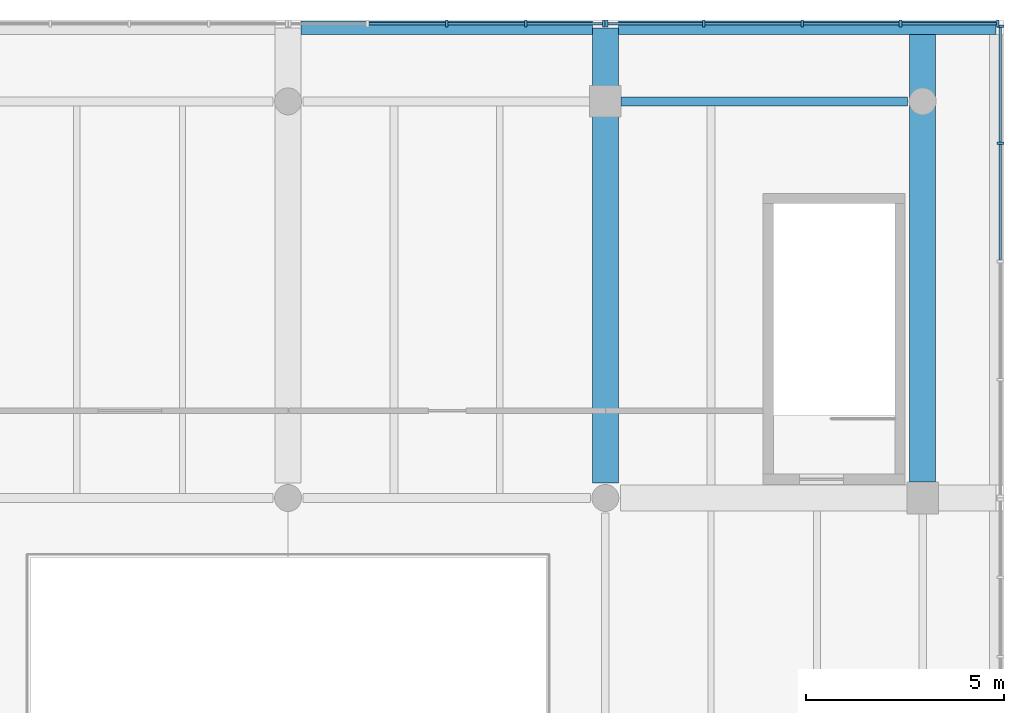
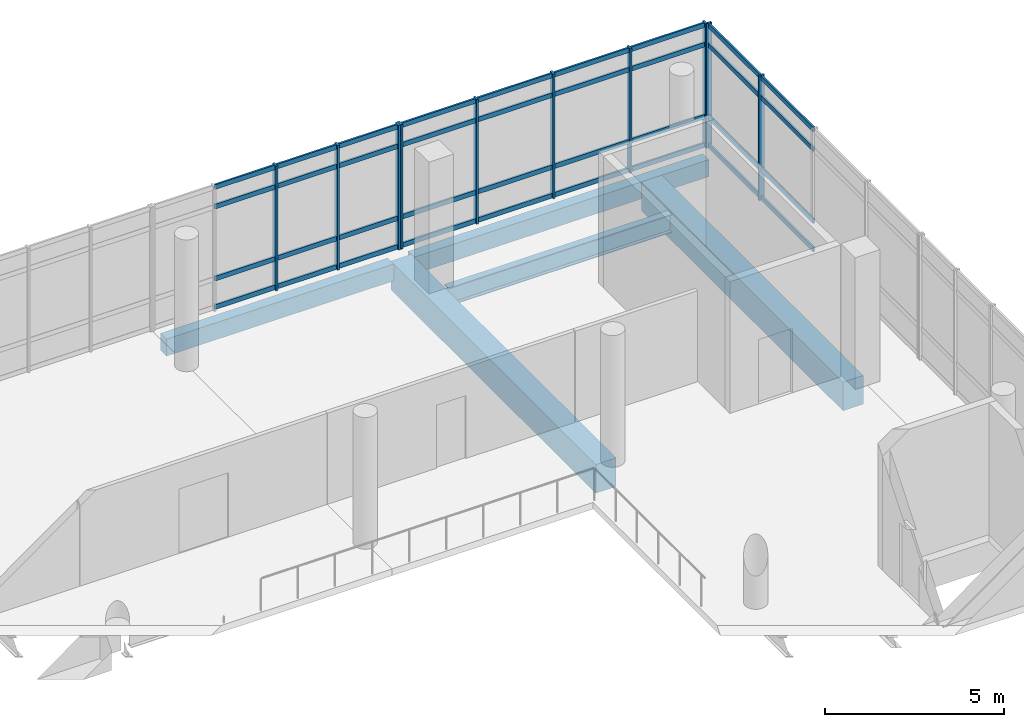
# One storey, part 9 of 15: 46 members, 5 beams, 3 elements without a shape of their own.
"""IFC4 building model written with IfcOpenShell, lengths in metres."""

import ifcopenshell
import ifcopenshell.guid

model = None  # the IFC model being written
_history = None  # IfcOwnerHistory: only IFC2X3 demands one
_inside = {}  # id of a spatial element -> (the spatial element, [elements in it])
_under = {}  # id of a project, library or spatial element -> (it, [spatial elements below it])
_declared = {}  # id of a project -> (the project, [libraries it declares])
_typed = {}  # id of a type object -> (the type object, [elements of that type])
_made_of = {}  # id of a material, layer set ... -> (it, [elements and type objects made of it])


def new_model(schema):
    """Start an empty IFC model of exactly this schema.

    Asked for "IFC4X3", IfcOpenShell would pick the latest addendum, in which some entities
    have other attributes; the version numbers below select the first issue.
    IFC2X3 requires an IfcOwnerHistory on every rooted entity: one is made here for all.
    """
    global model, _history
    if schema == "IFC4X3":
        model = ifcopenshell.file(schema_version=(4, 3, 0, 0))
    else:
        model = ifcopenshell.file(schema=schema)
    _inside.clear()
    _under.clear()
    _declared.clear()
    _typed.clear()
    _made_of.clear()
    _history = None
    if model.schema == "IFC2X3":
        org = make("IfcOrganization", Name="unknown")
        user = make(
            "IfcPersonAndOrganization",
            ThePerson=make("IfcPerson", FamilyName="unknown"),
            TheOrganization=org,
        )
        app = make(
            "IfcApplication",
            ApplicationDeveloper=org,
            Version="unknown",
            ApplicationFullName="unknown",
            ApplicationIdentifier="unknown",
        )
        _history = make(
            "IfcOwnerHistory",
            OwningUser=user,
            OwningApplication=app,
            ChangeAction="ADDED",
            CreationDate=0,
        )
    return model


def make(cls, **values):
    """One entity of the class cls with the attributes given. An attribute that is None is left unset."""
    return model.create_entity(
        cls, **{name: value for name, value in values.items() if value is not None}
    )


def rooted(cls, **values):
    """An entity with a GlobalId (a new one), such as an element, a storey or a relation."""
    return make(cls, GlobalId=ifcopenshell.guid.new(), OwnerHistory=_history, **values)


def si_unit(unit_type, name, prefix=None):
    """IfcSIUnit, for example si_unit("LENGTHUNIT", "METRE", prefix="MILLI")."""
    return make("IfcSIUnit", UnitType=unit_type, Prefix=prefix, Name=name)


def assignment(units):
    """IfcUnitAssignment: the units of a project."""
    return None if units is None else make("IfcUnitAssignment", Units=units)


def point(xyz):
    """IfcCartesianPoint."""
    return None if xyz is None else make("IfcCartesianPoint", Coordinates=xyz)


def direction(xyz):
    """IfcDirection."""
    return None if xyz is None else make("IfcDirection", DirectionRatios=xyz)


def frame(location, z_axis=None, x_axis=None):
    """IfcAxis2Placement3D, a coordinate frame: its origin and axes. An axis left out is left unset."""
    return make(
        "IfcAxis2Placement3D",
        Location=point(location),
        Axis=direction(z_axis),
        RefDirection=direction(x_axis),
    )


def frame_2d(location, x_axis=None):
    """IfcAxis2Placement2D, a coordinate frame in the plane: its origin and x axis."""
    return make(
        "IfcAxis2Placement2D", Location=point(location), RefDirection=direction(x_axis)
    )


def origin():
    """The frame at (0, 0, 0) with its axes left unset."""
    return frame((0.0, 0.0, 0.0))


def origin_2d():
    """The frame at (0, 0) in the plane with its x axis left unset."""
    return frame_2d((0.0, 0.0))


def place(relative_to, where):
    """IfcLocalPlacement: puts the frame where relative to a parent placement (None: the world)."""
    return make(
        "IfcLocalPlacement", PlacementRelTo=relative_to, RelativePlacement=where
    )


def context(
    kind, dimensions, precision=None, world=None, true_north=None, identifier=None
):
    """IfcGeometricRepresentationContext, for example the 3D "Model" context."""
    return make(
        "IfcGeometricRepresentationContext",
        ContextIdentifier=identifier,
        ContextType=kind,
        CoordinateSpaceDimension=dimensions,
        Precision=precision,
        WorldCoordinateSystem=world,
        TrueNorth=true_north,
    )


def subcontext(parent, identifier, kind, view, scale=None):
    """IfcGeometricRepresentationSubContext, for example "Body" below "Model"."""
    return make(
        "IfcGeometricRepresentationSubContext",
        ContextIdentifier=identifier,
        ContextType=kind,
        ParentContext=parent,
        TargetScale=scale,
        TargetView=view,
    )


def project(units=None, contexts=None):
    """IfcProject with its units and contexts."""
    return rooted(
        "IfcProject",
        Name="project",
        RepresentationContexts=contexts,
        UnitsInContext=assignment(units),
    )


def spatial(cls, under=None, at=None, **own):
    """A site, building, storey or space (cls), placed at a placement, below another one or the project."""
    s = rooted(cls, ObjectPlacement=at, **own)
    if under is not None:
        _under.setdefault(under.id(), (under, []))[1].append(s)
    return s


def profile(cls, at=None, kind="AREA", **sizes):
    """A parametric profile (cls). Its sizes go by their IFC names, for example OverallWidth=200.0."""
    return make(cls, ProfileType=kind, Position=at, **sizes)


def rectangle(**sizes):
    """IfcRectangleProfileDef."""
    return profile("IfcRectangleProfileDef", **sizes)


def i_section(**sizes):
    """IfcIShapeProfileDef."""
    return profile("IfcIShapeProfileDef", **sizes)


def extrude(swept, where, along, depth):
    """IfcExtrudedAreaSolid: the profile swept, set in the frame where, extruded along a direction by depth."""
    return make(
        "IfcExtrudedAreaSolid",
        SweptArea=swept,
        Position=where,
        ExtrudedDirection=direction(along),
        Depth=depth,
    )


def shape(context_of_items, identifier, shape_type, items):
    """IfcShapeRepresentation: the items that make up one representation, for example the "Body"."""
    return make(
        "IfcShapeRepresentation",
        ContextOfItems=context_of_items,
        RepresentationIdentifier=identifier,
        RepresentationType=shape_type,
        Items=items,
    )


def material(Name=None, Category=None):
    """IfcMaterial."""
    return make("IfcMaterial", Name=Name, Category=Category)


def material_profile(
    of_material, cross_section, Name=None, Category=None, Priority=None
):
    """IfcMaterialProfile: a cross section and its material."""
    return make(
        "IfcMaterialProfile",
        Name=Name,
        Material=of_material,
        Profile=cross_section,
        Priority=Priority,
        Category=Category,
    )


def profile_set(profiles, Name=None, composite=None):
    """IfcMaterialProfileSet."""
    return make(
        "IfcMaterialProfileSet",
        Name=Name,
        MaterialProfiles=profiles,
        CompositeProfile=composite,
    )


def made_of(thing, what):
    """Note that an element or type object is made of a material, layer set ...; save() writes the relation."""
    if what is not None:
        _made_of.setdefault(what.id(), (what, []))[1].append(thing)
    return thing


def type_object(cls, material=None, **own):
    """A type object (cls), such as IfcWallType, which elements share."""
    return made_of(rooted(cls, **own), material)


def element(
    cls,
    number,
    at=None,
    inside=None,
    cuts=None,
    type_object=None,
    material=None,
    context=None,
    identifier="Body",
    shape_type=None,
    held_by="IfcProductDefinitionShape",
    body=None,
    shapes=None,
    **own,
):
    """One element of the class cls, such as IfcWall. Its Tag is "e" and its number.

    at: its placement. inside: the storey or other place that contains it. cuts: it is an
    opening in that element (IfcRelVoidsElement). A single representation is given by context,
    identifier, shape_type and body (its items); several are given by shapes. held_by: the class
    of the entity that holds the representations. save() writes the other relations.
    """
    e = rooted(cls, Tag="e%d" % number, ObjectPlacement=at, **own)
    if body is not None:
        shapes = [shape(context, identifier, shape_type, body)]
    if shapes is not None:
        e.Representation = make(held_by, Representations=shapes)
    if inside is not None:
        _inside.setdefault(inside.id(), (inside, []))[1].append(e)
    if cuts is not None:
        rooted(
            "IfcRelVoidsElement", RelatingBuildingElement=cuts, RelatedOpeningElement=e
        )
    if type_object is not None:
        _typed.setdefault(type_object.id(), (type_object, []))[1].append(e)
    return made_of(e, material)


def aggregate(whole, parts):
    """IfcRelAggregates: a whole, such as a stair, and the parts it consists of."""
    return rooted("IfcRelAggregates", RelatingObject=whole, RelatedObjects=parts)


def save(model, path):
    """Write the relations noted so far, then the file.

    IfcRelAggregates (storeys below a building ...), IfcRelContainedInSpatialStructure (elements
    in a storey), IfcRelDefinesByType, IfcRelAssociatesMaterial and IfcRelDeclares: one each for
    every whole, place, type object, material and project.
    """
    for whole, parts in _under.values():
        aggregate(whole, parts)
    for where, things in _inside.values():
        rooted(
            "IfcRelContainedInSpatialStructure",
            RelatedElements=things,
            RelatingStructure=where,
        )
    for kind, things in _typed.values():
        rooted("IfcRelDefinesByType", RelatedObjects=things, RelatingType=kind)
    for what, things in _made_of.values():
        rooted("IfcRelAssociatesMaterial", RelatedObjects=things, RelatingMaterial=what)
    for by, libraries in _declared.values():
        rooted("IfcRelDeclares", RelatingContext=by, RelatedDefinitions=libraries)
    model.write(path)


model = new_model("IFC4")

# Units and contexts
model_context = context("Model", 3, precision=1e-05, world=origin(), true_north=direction((0.0, 1.0)))
body_context = subcontext(model_context, "Body", "Model", "MODEL_VIEW")
ifc_project = project(units=[si_unit("LENGTHUNIT", "METRE"), si_unit("AREAUNIT", "SQUARE_METRE"), si_unit("VOLUMEUNIT", "CUBIC_METRE"), si_unit("PLANEANGLEUNIT", "RADIAN"), si_unit("MASSUNIT", "GRAM", prefix="KILO")], contexts=[model_context])

# Site, building, storey
site_placement = place(None, origin())
site = spatial("IfcSite", under=ifc_project, at=site_placement, CompositionType="ELEMENT")
building_placement = place(site_placement, origin())
building = spatial("IfcBuilding", under=site, at=building_placement, Name="Pecanmere Concourse Central Library", CompositionType="ELEMENT")
storey_placement = place(building_placement, frame((0.0, 0.0, 30.300048828125)))
storey = spatial("IfcBuildingStorey", under=building, at=storey_placement, Name="L07", CompositionType="ELEMENT", Elevation=30.300048828125)

# Curtain wall, members
ifc_material_1 = material(Name="Anodized bronze aluminium alloy 6063-T6", Category="aluminium")
curtain_wall_type = type_object("IfcCurtainWallType", Name="CW_PLUMB_BANDED", PredefinedType="USERDEFINED", material=ifc_material_1)
curtain_wall_1_placement = place(storey_placement, origin())
curtain_wall_1 = element("IfcCurtainWall", 1, at=curtain_wall_1_placement, inside=storey, type_object=curtain_wall_type, Name="Unitised Curtain Wall CW-02 L07-085", ObjectType="UNITISED CURTAIN WALL", PredefinedType="USERDEFINED")
ifc_material_2 = material(Name="Anodized bronze aluminium alloy 6063-T6", Category="aluminium")
ifc_material_profile_1 = material_profile(ifc_material_2, rectangle(XDim=0.06494140625, YDim=0.179931640625, at=origin_2d()), Name="AL 65x180")
ifc_profile_set_1 = profile_set([ifc_material_profile_1], Name="Anodized bronze aluminium alloy 6063-T6")
member_type_1 = type_object("IfcMemberType", Name="CWM_180x65", PredefinedType="MULLION", material=ifc_profile_set_1)
member_1_placement = place(storey_placement, frame((105.888916015625, 125.96142578125, 0.0), z_axis=(0.0, 0.0, 1.0), x_axis=(-1.0, 0.0, 0.0)))
member_1 = element("IfcMember", 2, at=member_1_placement, type_object=member_type_1, Name="CW-02 Mullion 1", PredefinedType="MULLION", context=body_context, shape_type="SweptSolid", body=[
    extrude(rectangle(XDim=0.06494140625, YDim=0.179931640625, at=origin_2d()), origin(), (0.0, 0.0, 1.0), 4.260009765625),
])
member_2_placement = place(storey_placement, frame((103.4423828125, 125.96142578125, 0.0), z_axis=(0.0, 0.0, 1.0), x_axis=(-1.0, 0.0, 0.0)))
member_2 = element("IfcMember", 3, at=member_2_placement, type_object=member_type_1, Name="CW-02 Mullion 2", PredefinedType="MULLION", context=body_context, shape_type="SweptSolid", body=[
    extrude(rectangle(XDim=0.06494140625, YDim=0.179931640625, at=origin_2d()), origin(), (0.0, 0.0, 1.0), 4.260009765625),
])
member_3_placement = place(storey_placement, frame((100.963134765625, 125.96142578125, 0.0), z_axis=(0.0, 0.0, 1.0), x_axis=(-1.0, 0.0, 0.0)))
member_3 = element("IfcMember", 4, at=member_3_placement, type_object=member_type_1, Name="CW-02 Mullion 3", PredefinedType="MULLION", context=body_context, shape_type="SweptSolid", body=[
    extrude(rectangle(XDim=0.06494140625, YDim=0.179931640625, at=origin_2d()), origin(), (0.0, 0.0, 1.0), 4.260009765625),
])
member_4_placement = place(storey_placement, frame((98.484130859375, 125.96142578125, 0.0), z_axis=(0.0, 0.0, 1.0), x_axis=(-1.0, 0.0, 0.0)))
member_4 = element("IfcMember", 5, at=member_4_placement, type_object=member_type_1, Name="CW-02 Mullion 4", PredefinedType="MULLION", context=body_context, shape_type="SweptSolid", body=[
    extrude(rectangle(XDim=0.06494140625, YDim=0.179931640625, at=origin_2d()), origin(), (0.0, 0.0, 1.0), 4.260009765625),
])
member_5_placement = place(storey_placement, frame((96.03759765625, 125.96142578125, 0.0), z_axis=(0.0, 0.0, 1.0), x_axis=(-1.0, 0.0, 0.0)))
member_5 = element("IfcMember", 6, at=member_5_placement, type_object=member_type_1, Name="CW-02 Mullion 5", PredefinedType="MULLION", context=body_context, shape_type="SweptSolid", body=[
    extrude(rectangle(XDim=0.06494140625, YDim=0.179931640625, at=origin_2d()), origin(), (0.0, 0.0, 1.0), 4.260009765625),
])

curtain_wall_2_placement = place(storey_placement, origin())
curtain_wall_2 = element("IfcCurtainWall", 7, at=curtain_wall_2_placement, inside=storey, type_object=curtain_wall_type, Name="Unitised Curtain Wall CW-02 L07-086", ObjectType="UNITISED CURTAIN WALL", PredefinedType="USERDEFINED")
member_6_placement = place(storey_placement, frame((95.96240234375, 125.96142578125, 0.0), z_axis=(0.0, 0.0, 1.0), x_axis=(-1.0, 0.0, 0.0)))
member_6 = element("IfcMember", 8, at=member_6_placement, type_object=member_type_1, Name="CW-02 Mullion 1", PredefinedType="MULLION", context=body_context, shape_type="SweptSolid", body=[
    extrude(rectangle(XDim=0.06494140625, YDim=0.179931640625, at=origin_2d()), origin(), (0.0, 0.0, 1.0), 4.260009765625),
])
member_7_placement = place(storey_placement, frame((93.99755859375, 125.96142578125, 0.0), z_axis=(0.0, 0.0, 1.0), x_axis=(-1.0, 0.0, 0.0)))
member_7 = element("IfcMember", 9, at=member_7_placement, type_object=member_type_1, Name="CW-02 Mullion 2", PredefinedType="MULLION", context=body_context, shape_type="SweptSolid", body=[
    extrude(rectangle(XDim=0.06494140625, YDim=0.179931640625, at=origin_2d()), origin(), (0.0, 0.0, 1.0), 4.260009765625),
])
member_8_placement = place(storey_placement, frame((92.0, 125.96142578125, 0.0), z_axis=(0.0, 0.0, 1.0), x_axis=(-1.0, 0.0, 0.0)))
member_8 = element("IfcMember", 10, at=member_8_placement, type_object=member_type_1, Name="CW-02 Mullion 3", PredefinedType="MULLION", context=body_context, shape_type="SweptSolid", body=[
    extrude(rectangle(XDim=0.06494140625, YDim=0.179931640625, at=origin_2d()), origin(), (0.0, 0.0, 1.0), 4.260009765625),
])

curtain_wall_3_placement = place(storey_placement, origin())
curtain_wall_3 = element("IfcCurtainWall", 11, at=curtain_wall_3_placement, inside=storey, type_object=curtain_wall_type, Name="Unitised Curtain Wall CW-02 L07-096", ObjectType="UNITISED CURTAIN WALL", PredefinedType="USERDEFINED")
member_9_placement = place(storey_placement, frame((105.96142578125, 122.9423828125, 0.0), z_axis=(0.0, 0.0, 1.0), x_axis=(0.0, 1.0, 0.0)))
member_9 = element("IfcMember", 12, at=member_9_placement, type_object=member_type_1, Name="CW-02 Mullion 4", PredefinedType="MULLION", context=body_context, shape_type="SweptSolid", body=[
    extrude(rectangle(XDim=0.06494140625, YDim=0.179931640625, at=origin_2d()), origin(), (0.0, 0.0, 1.0), 4.260009765625),
])
member_10_placement = place(storey_placement, frame((105.96142578125, 125.888916015625, 0.0), z_axis=(0.0, 0.0, 1.0), x_axis=(0.0, 1.0, 0.0)))
member_10 = element("IfcMember", 13, at=member_10_placement, type_object=member_type_1, Name="CW-02 Mullion 5", PredefinedType="MULLION", context=body_context, shape_type="SweptSolid", body=[
    extrude(rectangle(XDim=0.06494140625, YDim=0.179931640625, at=origin_2d()), origin(), (0.0, 0.0, 1.0), 4.260009765625),
])

# Member
ifc_material_3 = material(Name="Anodized bronze aluminium alloy 6063-T6", Category="aluminium")
ifc_material_profile_2 = material_profile(ifc_material_3, rectangle(XDim=0.06005859375, YDim=0.159912109375, at=origin_2d()), Name="AL 60x160")
ifc_profile_set_2 = profile_set([ifc_material_profile_2], Name="Anodized bronze aluminium alloy 6063-T6")
member_type_2 = type_object("IfcMemberType", Name="CWT_160x60", PredefinedType="USERDEFINED", material=ifc_profile_set_2)
member_11_placement = place(storey_placement, frame((105.8564453125, 125.96142578125, 0.079833984375), z_axis=(-1.0, 0.0, 0.0), x_axis=(0.0, -1.0, 0.0)))
member_11 = element("IfcMember", 14, at=member_11_placement, type_object=member_type_2, Name="CW-02 Transom 1.1", ObjectType="TRANSOM", PredefinedType="USERDEFINED", context=body_context, shape_type="SweptSolid", body=[
    extrude(rectangle(XDim=0.06005859375, YDim=0.159912109375, at=origin_2d()), origin(), (0.0, 0.0, 1.0), 2.381591796875),
])

member_12_placement = place(storey_placement, frame((105.8564453125, 125.96142578125, 1.050048828125), z_axis=(-1.0, 0.0, 0.0), x_axis=(0.0, -1.0, 0.0)))
member_12 = element("IfcMember", 15, at=member_12_placement, type_object=member_type_2, Name="CW-02 Transom 1.2", ObjectType="TRANSOM", PredefinedType="USERDEFINED", context=body_context, shape_type="SweptSolid", body=[
    extrude(rectangle(XDim=0.06005859375, YDim=0.159912109375, at=origin_2d()), origin(), (0.0, 0.0, 1.0), 2.381591796875),
])

member_13_placement = place(storey_placement, frame((105.8564453125, 125.96142578125, 3.510009765625), z_axis=(-1.0, 0.0, 0.0), x_axis=(0.0, -1.0, 0.0)))
member_13 = element("IfcMember", 16, at=member_13_placement, type_object=member_type_2, Name="CW-02 Transom 1.3", ObjectType="TRANSOM", PredefinedType="USERDEFINED", context=body_context, shape_type="SweptSolid", body=[
    extrude(rectangle(XDim=0.06005859375, YDim=0.159912109375, at=origin_2d()), origin(), (0.0, 0.0, 1.0), 2.381591796875),
])

member_14_placement = place(storey_placement, frame((105.8564453125, 125.96142578125, 4.179931640625), z_axis=(-1.0, 0.0, 0.0), x_axis=(0.0, -1.0, 0.0)))
member_14 = element("IfcMember", 17, at=member_14_placement, type_object=member_type_2, Name="CW-02 Transom 1.4", ObjectType="TRANSOM", PredefinedType="USERDEFINED", context=body_context, shape_type="SweptSolid", body=[
    extrude(rectangle(XDim=0.06005859375, YDim=0.159912109375, at=origin_2d()), origin(), (0.0, 0.0, 1.0), 2.381591796875),
])

member_15_placement = place(storey_placement, frame((103.409912109375, 125.96142578125, 0.079833984375), z_axis=(-1.0, 0.0, 0.0), x_axis=(0.0, -1.0, 0.0)))
member_15 = element("IfcMember", 18, at=member_15_placement, type_object=member_type_2, Name="CW-02 Transom 2.1", ObjectType="TRANSOM", PredefinedType="USERDEFINED", context=body_context, shape_type="SweptSolid", body=[
    extrude(rectangle(XDim=0.06005859375, YDim=0.159912109375, at=origin_2d()), origin(), (0.0, 0.0, 1.0), 2.4140625),
])

member_16_placement = place(storey_placement, frame((103.409912109375, 125.96142578125, 1.050048828125), z_axis=(-1.0, 0.0, 0.0), x_axis=(0.0, -1.0, 0.0)))
member_16 = element("IfcMember", 19, at=member_16_placement, type_object=member_type_2, Name="CW-02 Transom 2.2", ObjectType="TRANSOM", PredefinedType="USERDEFINED", context=body_context, shape_type="SweptSolid", body=[
    extrude(rectangle(XDim=0.06005859375, YDim=0.159912109375, at=origin_2d()), origin(), (0.0, 0.0, 1.0), 2.4140625),
])

member_17_placement = place(storey_placement, frame((103.409912109375, 125.96142578125, 3.510009765625), z_axis=(-1.0, 0.0, 0.0), x_axis=(0.0, -1.0, 0.0)))
member_17 = element("IfcMember", 20, at=member_17_placement, type_object=member_type_2, Name="CW-02 Transom 2.3", ObjectType="TRANSOM", PredefinedType="USERDEFINED", context=body_context, shape_type="SweptSolid", body=[
    extrude(rectangle(XDim=0.06005859375, YDim=0.159912109375, at=origin_2d()), origin(), (0.0, 0.0, 1.0), 2.4140625),
])

member_18_placement = place(storey_placement, frame((103.409912109375, 125.96142578125, 4.179931640625), z_axis=(-1.0, 0.0, 0.0), x_axis=(0.0, -1.0, 0.0)))
member_18 = element("IfcMember", 21, at=member_18_placement, type_object=member_type_2, Name="CW-02 Transom 2.4", ObjectType="TRANSOM", PredefinedType="USERDEFINED", context=body_context, shape_type="SweptSolid", body=[
    extrude(rectangle(XDim=0.06005859375, YDim=0.159912109375, at=origin_2d()), origin(), (0.0, 0.0, 1.0), 2.4140625),
])

member_19_placement = place(storey_placement, frame((100.9306640625, 125.96142578125, 0.079833984375), z_axis=(-1.0, 0.0, 0.0), x_axis=(0.0, -1.0, 0.0)))
member_19 = element("IfcMember", 22, at=member_19_placement, type_object=member_type_2, Name="CW-02 Transom 3.1", ObjectType="TRANSOM", PredefinedType="USERDEFINED", context=body_context, shape_type="SweptSolid", body=[
    extrude(rectangle(XDim=0.06005859375, YDim=0.159912109375, at=origin_2d()), origin(), (0.0, 0.0, 1.0), 2.4140625),
])

member_20_placement = place(storey_placement, frame((100.9306640625, 125.96142578125, 1.050048828125), z_axis=(-1.0, 0.0, 0.0), x_axis=(0.0, -1.0, 0.0)))
member_20 = element("IfcMember", 23, at=member_20_placement, type_object=member_type_2, Name="CW-02 Transom 3.2", ObjectType="TRANSOM", PredefinedType="USERDEFINED", context=body_context, shape_type="SweptSolid", body=[
    extrude(rectangle(XDim=0.06005859375, YDim=0.159912109375, at=origin_2d()), origin(), (0.0, 0.0, 1.0), 2.4140625),
])

member_21_placement = place(storey_placement, frame((100.9306640625, 125.96142578125, 3.510009765625), z_axis=(-1.0, 0.0, 0.0), x_axis=(0.0, -1.0, 0.0)))
member_21 = element("IfcMember", 24, at=member_21_placement, type_object=member_type_2, Name="CW-02 Transom 3.3", ObjectType="TRANSOM", PredefinedType="USERDEFINED", context=body_context, shape_type="SweptSolid", body=[
    extrude(rectangle(XDim=0.06005859375, YDim=0.159912109375, at=origin_2d()), origin(), (0.0, 0.0, 1.0), 2.4140625),
])

member_22_placement = place(storey_placement, frame((100.9306640625, 125.96142578125, 4.179931640625), z_axis=(-1.0, 0.0, 0.0), x_axis=(0.0, -1.0, 0.0)))
member_22 = element("IfcMember", 25, at=member_22_placement, type_object=member_type_2, Name="CW-02 Transom 3.4", ObjectType="TRANSOM", PredefinedType="USERDEFINED", context=body_context, shape_type="SweptSolid", body=[
    extrude(rectangle(XDim=0.06005859375, YDim=0.159912109375, at=origin_2d()), origin(), (0.0, 0.0, 1.0), 2.4140625),
])

member_23_placement = place(storey_placement, frame((98.45166015625, 125.96142578125, 0.079833984375), z_axis=(-1.0, 0.0, 0.0), x_axis=(0.0, -1.0, 0.0)))
member_23 = element("IfcMember", 26, at=member_23_placement, type_object=member_type_2, Name="CW-02 Transom 4.1", ObjectType="TRANSOM", PredefinedType="USERDEFINED", context=body_context, shape_type="SweptSolid", body=[
    extrude(rectangle(XDim=0.06005859375, YDim=0.159912109375, at=origin_2d()), origin(), (0.0, 0.0, 1.0), 2.381591796875),
])

member_24_placement = place(storey_placement, frame((98.45166015625, 125.96142578125, 1.050048828125), z_axis=(-1.0, 0.0, 0.0), x_axis=(0.0, -1.0, 0.0)))
member_24 = element("IfcMember", 27, at=member_24_placement, type_object=member_type_2, Name="CW-02 Transom 4.2", ObjectType="TRANSOM", PredefinedType="USERDEFINED", context=body_context, shape_type="SweptSolid", body=[
    extrude(rectangle(XDim=0.06005859375, YDim=0.159912109375, at=origin_2d()), origin(), (0.0, 0.0, 1.0), 2.381591796875),
])

member_25_placement = place(storey_placement, frame((98.45166015625, 125.96142578125, 3.510009765625), z_axis=(-1.0, 0.0, 0.0), x_axis=(0.0, -1.0, 0.0)))
member_25 = element("IfcMember", 28, at=member_25_placement, type_object=member_type_2, Name="CW-02 Transom 4.3", ObjectType="TRANSOM", PredefinedType="USERDEFINED", context=body_context, shape_type="SweptSolid", body=[
    extrude(rectangle(XDim=0.06005859375, YDim=0.159912109375, at=origin_2d()), origin(), (0.0, 0.0, 1.0), 2.381591796875),
])

member_26_placement = place(storey_placement, frame((98.45166015625, 125.96142578125, 4.179931640625), z_axis=(-1.0, 0.0, 0.0), x_axis=(0.0, -1.0, 0.0)))
member_26 = element("IfcMember", 29, at=member_26_placement, type_object=member_type_2, Name="CW-02 Transom 4.4", ObjectType="TRANSOM", PredefinedType="USERDEFINED", context=body_context, shape_type="SweptSolid", body=[
    extrude(rectangle(XDim=0.06005859375, YDim=0.159912109375, at=origin_2d()), origin(), (0.0, 0.0, 1.0), 2.381591796875),
])

aggregate(curtain_wall_1, [member_1, member_2, member_3, member_4, member_5, member_11, member_12, member_13, member_14, member_15, member_16, member_17, member_18, member_19, member_20, member_21, member_22, member_23, member_24, member_25, member_26])

member_27_placement = place(storey_placement, frame((95.929931640625, 125.96142578125, 0.079833984375), z_axis=(-1.0, 0.0, 0.0), x_axis=(0.0, -1.0, 0.0)))
member_27 = element("IfcMember", 30, at=member_27_placement, type_object=member_type_2, Name="CW-02 Transom 1.1", ObjectType="TRANSOM", PredefinedType="USERDEFINED", context=body_context, shape_type="SweptSolid", body=[
    extrude(rectangle(XDim=0.06005859375, YDim=0.159912109375, at=origin_2d()), origin(), (0.0, 0.0, 1.0), 1.89990234375),
])

member_28_placement = place(storey_placement, frame((95.929931640625, 125.96142578125, 1.050048828125), z_axis=(-1.0, 0.0, 0.0), x_axis=(0.0, -1.0, 0.0)))
member_28 = element("IfcMember", 31, at=member_28_placement, type_object=member_type_2, Name="CW-02 Transom 1.2", ObjectType="TRANSOM", PredefinedType="USERDEFINED", context=body_context, shape_type="SweptSolid", body=[
    extrude(rectangle(XDim=0.06005859375, YDim=0.159912109375, at=origin_2d()), origin(), (0.0, 0.0, 1.0), 1.89990234375),
])

member_29_placement = place(storey_placement, frame((95.929931640625, 125.96142578125, 3.510009765625), z_axis=(-1.0, 0.0, 0.0), x_axis=(0.0, -1.0, 0.0)))
member_29 = element("IfcMember", 32, at=member_29_placement, type_object=member_type_2, Name="CW-02 Transom 1.3", ObjectType="TRANSOM", PredefinedType="USERDEFINED", context=body_context, shape_type="SweptSolid", body=[
    extrude(rectangle(XDim=0.06005859375, YDim=0.159912109375, at=origin_2d()), origin(), (0.0, 0.0, 1.0), 1.89990234375),
])

member_30_placement = place(storey_placement, frame((95.929931640625, 125.96142578125, 4.179931640625), z_axis=(-1.0, 0.0, 0.0), x_axis=(0.0, -1.0, 0.0)))
member_30 = element("IfcMember", 33, at=member_30_placement, type_object=member_type_2, Name="CW-02 Transom 1.4", ObjectType="TRANSOM", PredefinedType="USERDEFINED", context=body_context, shape_type="SweptSolid", body=[
    extrude(rectangle(XDim=0.06005859375, YDim=0.159912109375, at=origin_2d()), origin(), (0.0, 0.0, 1.0), 1.89990234375),
])

member_31_placement = place(storey_placement, frame((93.965087890625, 125.96142578125, 0.079833984375), z_axis=(-1.0, 0.0, 0.0), x_axis=(0.0, -1.0, 0.0)))
member_31 = element("IfcMember", 34, at=member_31_placement, type_object=member_type_2, Name="CW-02 Transom 2.1", ObjectType="TRANSOM", PredefinedType="USERDEFINED", context=body_context, shape_type="SweptSolid", body=[
    extrude(rectangle(XDim=0.06005859375, YDim=0.159912109375, at=origin_2d()), origin(), (0.0, 0.0, 1.0), 1.9326171875),
])

member_32_placement = place(storey_placement, frame((93.965087890625, 125.96142578125, 1.050048828125), z_axis=(-1.0, 0.0, 0.0), x_axis=(0.0, -1.0, 0.0)))
member_32 = element("IfcMember", 35, at=member_32_placement, type_object=member_type_2, Name="CW-02 Transom 2.2", ObjectType="TRANSOM", PredefinedType="USERDEFINED", context=body_context, shape_type="SweptSolid", body=[
    extrude(rectangle(XDim=0.06005859375, YDim=0.159912109375, at=origin_2d()), origin(), (0.0, 0.0, 1.0), 1.9326171875),
])

member_33_placement = place(storey_placement, frame((93.965087890625, 125.96142578125, 3.510009765625), z_axis=(-1.0, 0.0, 0.0), x_axis=(0.0, -1.0, 0.0)))
member_33 = element("IfcMember", 36, at=member_33_placement, type_object=member_type_2, Name="CW-02 Transom 2.3", ObjectType="TRANSOM", PredefinedType="USERDEFINED", context=body_context, shape_type="SweptSolid", body=[
    extrude(rectangle(XDim=0.06005859375, YDim=0.159912109375, at=origin_2d()), origin(), (0.0, 0.0, 1.0), 1.9326171875),
])

member_34_placement = place(storey_placement, frame((93.965087890625, 125.96142578125, 4.179931640625), z_axis=(-1.0, 0.0, 0.0), x_axis=(0.0, -1.0, 0.0)))
member_34 = element("IfcMember", 37, at=member_34_placement, type_object=member_type_2, Name="CW-02 Transom 2.4", ObjectType="TRANSOM", PredefinedType="USERDEFINED", context=body_context, shape_type="SweptSolid", body=[
    extrude(rectangle(XDim=0.06005859375, YDim=0.159912109375, at=origin_2d()), origin(), (0.0, 0.0, 1.0), 1.9326171875),
])

member_35_placement = place(storey_placement, frame((91.967529296875, 125.96142578125, 0.079833984375), z_axis=(-1.0, 0.0, 0.0), x_axis=(0.0, -1.0, 0.0)))
member_35 = element("IfcMember", 38, at=member_35_placement, type_object=member_type_2, Name="CW-02 Transom 3.1", ObjectType="TRANSOM", PredefinedType="USERDEFINED", context=body_context, shape_type="SweptSolid", body=[
    extrude(rectangle(XDim=0.06005859375, YDim=0.159912109375, at=origin_2d()), origin(), (0.0, 0.0, 1.0), 1.9326171875),
])

member_36_placement = place(storey_placement, frame((91.967529296875, 125.96142578125, 1.050048828125), z_axis=(-1.0, 0.0, 0.0), x_axis=(0.0, -1.0, 0.0)))
member_36 = element("IfcMember", 39, at=member_36_placement, type_object=member_type_2, Name="CW-02 Transom 3.2", ObjectType="TRANSOM", PredefinedType="USERDEFINED", context=body_context, shape_type="SweptSolid", body=[
    extrude(rectangle(XDim=0.06005859375, YDim=0.159912109375, at=origin_2d()), origin(), (0.0, 0.0, 1.0), 1.9326171875),
])

member_37_placement = place(storey_placement, frame((91.967529296875, 125.96142578125, 3.510009765625), z_axis=(-1.0, 0.0, 0.0), x_axis=(0.0, -1.0, 0.0)))
member_37 = element("IfcMember", 40, at=member_37_placement, type_object=member_type_2, Name="CW-02 Transom 3.3", ObjectType="TRANSOM", PredefinedType="USERDEFINED", context=body_context, shape_type="SweptSolid", body=[
    extrude(rectangle(XDim=0.06005859375, YDim=0.159912109375, at=origin_2d()), origin(), (0.0, 0.0, 1.0), 1.9326171875),
])

member_38_placement = place(storey_placement, frame((91.967529296875, 125.96142578125, 4.179931640625), z_axis=(-1.0, 0.0, 0.0), x_axis=(0.0, -1.0, 0.0)))
member_38 = element("IfcMember", 41, at=member_38_placement, type_object=member_type_2, Name="CW-02 Transom 3.4", ObjectType="TRANSOM", PredefinedType="USERDEFINED", context=body_context, shape_type="SweptSolid", body=[
    extrude(rectangle(XDim=0.06005859375, YDim=0.159912109375, at=origin_2d()), origin(), (0.0, 0.0, 1.0), 1.9326171875),
])

aggregate(curtain_wall_2, [member_6, member_7, member_8, member_27, member_28, member_29, member_30, member_31, member_32, member_33, member_34, member_35, member_36, member_37, member_38])

member_39_placement = place(storey_placement, frame((105.96142578125, 119.995849609375, 0.079833984375), z_axis=(0.0, 1.0, 0.0), x_axis=(-1.0, 0.0, 0.0)))
member_39 = element("IfcMember", 42, at=member_39_placement, type_object=member_type_2, Name="CW-02 Transom 3.1", ObjectType="TRANSOM", PredefinedType="USERDEFINED", context=body_context, shape_type="SweptSolid", body=[
    extrude(rectangle(XDim=0.06005859375, YDim=0.159912109375, at=origin_2d()), origin(), (0.0, 0.0, 1.0), 2.9140625),
])

member_40_placement = place(storey_placement, frame((105.96142578125, 119.995849609375, 1.050048828125), z_axis=(0.0, 1.0, 0.0), x_axis=(-1.0, 0.0, 0.0)))
member_40 = element("IfcMember", 43, at=member_40_placement, type_object=member_type_2, Name="CW-02 Transom 3.2", ObjectType="TRANSOM", PredefinedType="USERDEFINED", context=body_context, shape_type="SweptSolid", body=[
    extrude(rectangle(XDim=0.06005859375, YDim=0.159912109375, at=origin_2d()), origin(), (0.0, 0.0, 1.0), 2.9140625),
])

member_41_placement = place(storey_placement, frame((105.96142578125, 119.995849609375, 3.510009765625), z_axis=(0.0, 1.0, 0.0), x_axis=(-1.0, 0.0, 0.0)))
member_41 = element("IfcMember", 44, at=member_41_placement, type_object=member_type_2, Name="CW-02 Transom 3.3", ObjectType="TRANSOM", PredefinedType="USERDEFINED", context=body_context, shape_type="SweptSolid", body=[
    extrude(rectangle(XDim=0.06005859375, YDim=0.159912109375, at=origin_2d()), origin(), (0.0, 0.0, 1.0), 2.9140625),
])

member_42_placement = place(storey_placement, frame((105.96142578125, 119.995849609375, 4.179931640625), z_axis=(0.0, 1.0, 0.0), x_axis=(-1.0, 0.0, 0.0)))
member_42 = element("IfcMember", 45, at=member_42_placement, type_object=member_type_2, Name="CW-02 Transom 3.4", ObjectType="TRANSOM", PredefinedType="USERDEFINED", context=body_context, shape_type="SweptSolid", body=[
    extrude(rectangle(XDim=0.06005859375, YDim=0.159912109375, at=origin_2d()), origin(), (0.0, 0.0, 1.0), 2.9140625),
])

member_43_placement = place(storey_placement, frame((105.96142578125, 122.974853515625, 0.079833984375), z_axis=(0.0, 1.0, 0.0), x_axis=(-1.0, 0.0, 0.0)))
member_43 = element("IfcMember", 46, at=member_43_placement, type_object=member_type_2, Name="CW-02 Transom 4.1", ObjectType="TRANSOM", PredefinedType="USERDEFINED", context=body_context, shape_type="SweptSolid", body=[
    extrude(rectangle(XDim=0.06005859375, YDim=0.159912109375, at=origin_2d()), origin(), (0.0, 0.0, 1.0), 2.881591796875),
])

member_44_placement = place(storey_placement, frame((105.96142578125, 122.974853515625, 1.050048828125), z_axis=(0.0, 1.0, 0.0), x_axis=(-1.0, 0.0, 0.0)))
member_44 = element("IfcMember", 47, at=member_44_placement, type_object=member_type_2, Name="CW-02 Transom 4.2", ObjectType="TRANSOM", PredefinedType="USERDEFINED", context=body_context, shape_type="SweptSolid", body=[
    extrude(rectangle(XDim=0.06005859375, YDim=0.159912109375, at=origin_2d()), origin(), (0.0, 0.0, 1.0), 2.881591796875),
])

member_45_placement = place(storey_placement, frame((105.96142578125, 122.974853515625, 3.510009765625), z_axis=(0.0, 1.0, 0.0), x_axis=(-1.0, 0.0, 0.0)))
member_45 = element("IfcMember", 48, at=member_45_placement, type_object=member_type_2, Name="CW-02 Transom 4.3", ObjectType="TRANSOM", PredefinedType="USERDEFINED", context=body_context, shape_type="SweptSolid", body=[
    extrude(rectangle(XDim=0.06005859375, YDim=0.159912109375, at=origin_2d()), origin(), (0.0, 0.0, 1.0), 2.881591796875),
])

member_46_placement = place(storey_placement, frame((105.96142578125, 122.974853515625, 4.179931640625), z_axis=(0.0, 1.0, 0.0), x_axis=(-1.0, 0.0, 0.0)))
member_46 = element("IfcMember", 49, at=member_46_placement, type_object=member_type_2, Name="CW-02 Transom 4.4", ObjectType="TRANSOM", PredefinedType="USERDEFINED", context=body_context, shape_type="SweptSolid", body=[
    extrude(rectangle(XDim=0.06005859375, YDim=0.159912109375, at=origin_2d()), origin(), (0.0, 0.0, 1.0), 2.881591796875),
])

aggregate(curtain_wall_3, [member_9, member_10, member_39, member_40, member_41, member_42, member_43, member_44, member_45, member_46])

# Beams
ifc_material_4 = material(Name="Concrete C40/50", Category="concrete")
ifc_material_profile_3 = material_profile(ifc_material_4, rectangle(XDim=0.659912109375, YDim=0.97998046875, at=origin_2d()), Name="RC 660x980")
ifc_profile_set_3 = profile_set([ifc_material_profile_3], Name="Concrete C40/50")
beam_type_1 = type_object("IfcBeamType", Name="GRD_660x980", PredefinedType="USERDEFINED", material=ifc_profile_set_3)
beam_1_placement = place(storey_placement, frame((96.0, 114.3798828125, -0.75), z_axis=(0.0, 1.0, 0.0), x_axis=(-1.0, 0.0, 0.0)))
element("IfcBeam", 50, at=beam_1_placement, inside=storey, type_object=beam_type_1, Name="Primary Girder Y L07-2817", ObjectType="GIRDER", PredefinedType="USERDEFINED", context=body_context, shape_type="SweptSolid", body=[
    extrude(rectangle(XDim=0.659912109375, YDim=0.97998046875, at=origin_2d()), origin(), (0.0, 0.0, 1.0), 11.4716796875),
])
beam_2_placement = place(storey_placement, frame((104.0, 114.39990234375, -0.75), z_axis=(0.0, 1.0, 0.0), x_axis=(-1.0, 0.0, 0.0)))
element("IfcBeam", 51, at=beam_2_placement, inside=storey, type_object=beam_type_1, Name="Primary Girder Y L07-2821", ObjectType="GIRDER", PredefinedType="USERDEFINED", context=body_context, shape_type="SweptSolid", body=[
    extrude(rectangle(XDim=0.659912109375, YDim=0.97998046875, at=origin_2d()), origin(), (0.0, 0.0, 1.0), 11.281494140625),
])
ifc_material_5 = material(Name="Structural steel ASTM A992 Grade 50", Category="steel")
ifc_material_profile_4 = material_profile(ifc_material_5, i_section(OverallWidth=0.22998046875, OverallDepth=0.616943359375, WebThickness=0.01318359375, FlangeThickness=0.022216796875, at=origin_2d()), Name="W610x140")
ifc_profile_set_4 = profile_set([ifc_material_profile_4], Name="Structural steel ASTM A992 Grade 50")
beam_type_2 = type_object("IfcBeamType", Name="SBM_W610x140", PredefinedType="USERDEFINED", material=ifc_profile_set_4)
beam_3_placement = place(storey_placement, frame((96.39990234375, 124.0, -0.568603515625), z_axis=(1.0, 0.0, 0.0), x_axis=(0.0, 1.0, 0.0)))
element("IfcBeam", 52, at=beam_3_placement, inside=storey, type_object=beam_type_2, Name="Primary Girder X L07-2803", ObjectType="GIRDER", PredefinedType="USERDEFINED", context=body_context, shape_type="SweptSolid", body=[
    extrude(i_section(OverallWidth=0.22998046875, OverallDepth=0.616943359375, WebThickness=0.01318359375, FlangeThickness=0.022216796875, at=origin_2d()), origin(), (0.0, 0.0, 1.0), 7.22021484375),
])
ifc_material_6 = material(Name="Concrete C40/50", Category="concrete")
ifc_material_profile_5 = material_profile(ifc_material_6, rectangle(XDim=0.340087890625, YDim=0.580078125, at=origin_2d()), Name="RC 340x580")
ifc_profile_set_5 = profile_set([ifc_material_profile_5], Name="Concrete C40/50")
beam_type_3 = type_object("IfcBeamType", Name="SPB_340x580", PredefinedType="BEAM", material=ifc_profile_set_5)
beam_4_placement = place(storey_placement, frame((88.330078125, 125.8515625, -0.550048828125), z_axis=(1.0, 0.0, 0.0), x_axis=(0.0, 1.0, 0.0)))
element("IfcBeam", 53, at=beam_4_placement, inside=storey, type_object=beam_type_3, Name="Leaning Facade Edge Beam L07-2828", PredefinedType="BEAM", context=body_context, shape_type="SweptSolid", body=[
    extrude(rectangle(XDim=0.340087890625, YDim=0.580078125, at=origin_2d()), origin(), (0.0, 0.0, 1.0), 7.33984375),
])
beam_5_placement = place(storey_placement, frame((96.330078125, 125.8515625, -0.550048828125), z_axis=(1.0, 0.0, 0.0), x_axis=(0.0, 1.0, 0.0)))
element("IfcBeam", 54, at=beam_5_placement, inside=storey, type_object=beam_type_3, Name="Leaning Facade Edge Beam L07-2829", PredefinedType="BEAM", context=body_context, shape_type="SweptSolid", body=[
    extrude(rectangle(XDim=0.340087890625, YDim=0.580078125, at=origin_2d()), origin(), (0.0, 0.0, 1.0), 9.521484375),
])

save(model, "model.ifc")
